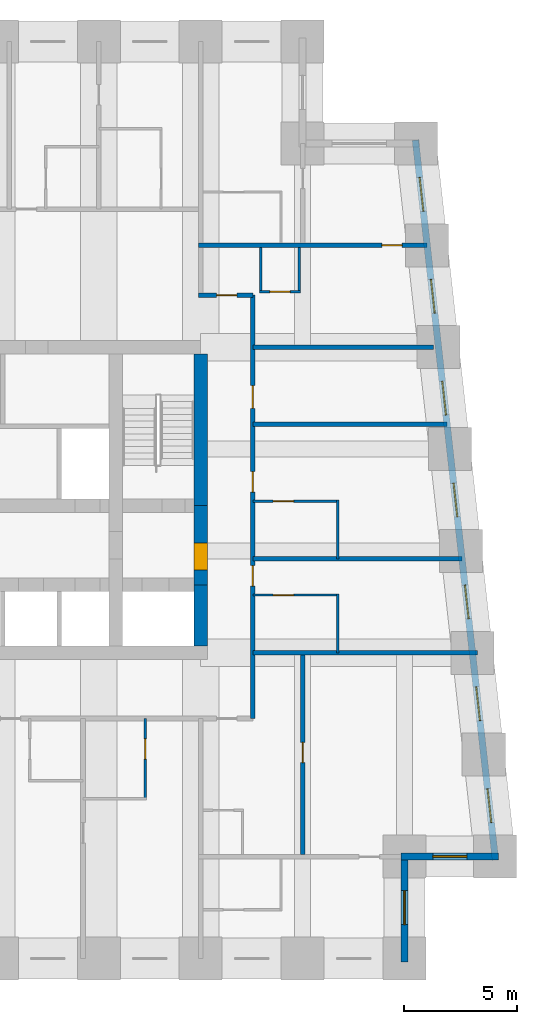
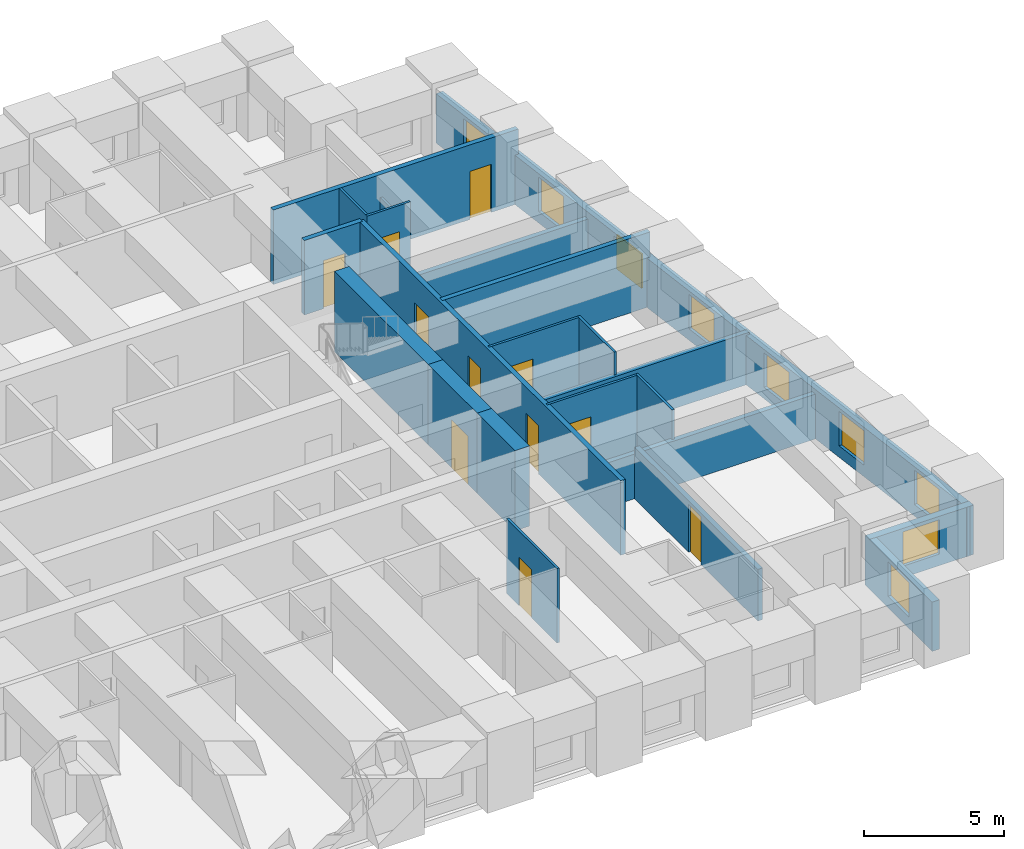
# One storey, part 5 of 8: 22 walls, 11 doors, 9 windows, 20 openings.
"""IFC4 building model written with IfcOpenShell, lengths in metres."""

import ifcopenshell
import ifcopenshell.guid

model = None  # the IFC model being written
_history = None  # IfcOwnerHistory: only IFC2X3 demands one
_inside = {}  # id of a spatial element -> (the spatial element, [elements in it])
_under = {}  # id of a project, library or spatial element -> (it, [spatial elements below it])
_declared = {}  # id of a project -> (the project, [libraries it declares])
_typed = {}  # id of a type object -> (the type object, [elements of that type])
_made_of = {}  # id of a material, layer set ... -> (it, [elements and type objects made of it])


def new_model(schema):
    """Start an empty IFC model of exactly this schema.

    Asked for "IFC4X3", IfcOpenShell would pick the latest addendum, in which some entities
    have other attributes; the version numbers below select the first issue.
    IFC2X3 requires an IfcOwnerHistory on every rooted entity: one is made here for all.
    """
    global model, _history
    if schema == "IFC4X3":
        model = ifcopenshell.file(schema_version=(4, 3, 0, 0))
    else:
        model = ifcopenshell.file(schema=schema)
    _inside.clear()
    _under.clear()
    _declared.clear()
    _typed.clear()
    _made_of.clear()
    _history = None
    if model.schema == "IFC2X3":
        org = make("IfcOrganization", Name="unknown")
        user = make(
            "IfcPersonAndOrganization",
            ThePerson=make("IfcPerson", FamilyName="unknown"),
            TheOrganization=org,
        )
        app = make(
            "IfcApplication",
            ApplicationDeveloper=org,
            Version="unknown",
            ApplicationFullName="unknown",
            ApplicationIdentifier="unknown",
        )
        _history = make(
            "IfcOwnerHistory",
            OwningUser=user,
            OwningApplication=app,
            ChangeAction="ADDED",
            CreationDate=0,
        )
    return model


def make(cls, **values):
    """One entity of the class cls with the attributes given. An attribute that is None is left unset."""
    return model.create_entity(
        cls, **{name: value for name, value in values.items() if value is not None}
    )


def rooted(cls, **values):
    """An entity with a GlobalId (a new one), such as an element, a storey or a relation."""
    return make(cls, GlobalId=ifcopenshell.guid.new(), OwnerHistory=_history, **values)


def si_unit(unit_type, name, prefix=None):
    """IfcSIUnit, for example si_unit("LENGTHUNIT", "METRE", prefix="MILLI")."""
    return make("IfcSIUnit", UnitType=unit_type, Prefix=prefix, Name=name)


def assignment(units):
    """IfcUnitAssignment: the units of a project."""
    return None if units is None else make("IfcUnitAssignment", Units=units)


def point(xyz):
    """IfcCartesianPoint."""
    return None if xyz is None else make("IfcCartesianPoint", Coordinates=xyz)


def direction(xyz):
    """IfcDirection."""
    return None if xyz is None else make("IfcDirection", DirectionRatios=xyz)


def frame(location, z_axis=None, x_axis=None):
    """IfcAxis2Placement3D, a coordinate frame: its origin and axes. An axis left out is left unset."""
    return make(
        "IfcAxis2Placement3D",
        Location=point(location),
        Axis=direction(z_axis),
        RefDirection=direction(x_axis),
    )


def frame_2d(location, x_axis=None):
    """IfcAxis2Placement2D, a coordinate frame in the plane: its origin and x axis."""
    return make(
        "IfcAxis2Placement2D", Location=point(location), RefDirection=direction(x_axis)
    )


def origin():
    """The frame at (0, 0, 0) with its axes left unset."""
    return frame((0.0, 0.0, 0.0))


def place(relative_to, where):
    """IfcLocalPlacement: puts the frame where relative to a parent placement (None: the world)."""
    return make(
        "IfcLocalPlacement", PlacementRelTo=relative_to, RelativePlacement=where
    )


def context(
    kind, dimensions, precision=None, world=None, true_north=None, identifier=None
):
    """IfcGeometricRepresentationContext, for example the 3D "Model" context."""
    return make(
        "IfcGeometricRepresentationContext",
        ContextIdentifier=identifier,
        ContextType=kind,
        CoordinateSpaceDimension=dimensions,
        Precision=precision,
        WorldCoordinateSystem=world,
        TrueNorth=true_north,
    )


def subcontext(parent, identifier, kind, view, scale=None):
    """IfcGeometricRepresentationSubContext, for example "Body" below "Model"."""
    return make(
        "IfcGeometricRepresentationSubContext",
        ContextIdentifier=identifier,
        ContextType=kind,
        ParentContext=parent,
        TargetScale=scale,
        TargetView=view,
    )


def project(units=None, contexts=None):
    """IfcProject with its units and contexts."""
    return rooted(
        "IfcProject",
        Name="project",
        RepresentationContexts=contexts,
        UnitsInContext=assignment(units),
    )


def spatial(cls, under=None, at=None, **own):
    """A site, building, storey or space (cls), placed at a placement, below another one or the project."""
    s = rooted(cls, ObjectPlacement=at, **own)
    if under is not None:
        _under.setdefault(under.id(), (under, []))[1].append(s)
    return s


def profile(cls, at=None, kind="AREA", **sizes):
    """A parametric profile (cls). Its sizes go by their IFC names, for example OverallWidth=200.0."""
    return make(cls, ProfileType=kind, Position=at, **sizes)


def rectangle(**sizes):
    """IfcRectangleProfileDef."""
    return profile("IfcRectangleProfileDef", **sizes)


def extrude(swept, where, along, depth):
    """IfcExtrudedAreaSolid: the profile swept, set in the frame where, extruded along a direction by depth."""
    return make(
        "IfcExtrudedAreaSolid",
        SweptArea=swept,
        Position=where,
        ExtrudedDirection=direction(along),
        Depth=depth,
    )


def shape(context_of_items, identifier, shape_type, items):
    """IfcShapeRepresentation: the items that make up one representation, for example the "Body"."""
    return make(
        "IfcShapeRepresentation",
        ContextOfItems=context_of_items,
        RepresentationIdentifier=identifier,
        RepresentationType=shape_type,
        Items=items,
    )


def material(Name=None, Category=None):
    """IfcMaterial."""
    return make("IfcMaterial", Name=Name, Category=Category)


def layer(
    of_material, thickness, ventilated=None, Name=None, Category=None, Priority=None
):
    """IfcMaterialLayer: one layer of a wall or slab, of a material (None: an air gap)."""
    return make(
        "IfcMaterialLayer",
        Material=of_material,
        LayerThickness=thickness,
        IsVentilated=ventilated,
        Name=Name,
        Category=Category,
        Priority=Priority,
    )


def layer_set(layers, Name=None):
    """IfcMaterialLayerSet."""
    return make("IfcMaterialLayerSet", MaterialLayers=layers, LayerSetName=Name)


def made_of(thing, what):
    """Note that an element or type object is made of a material, layer set ...; save() writes the relation."""
    if what is not None:
        _made_of.setdefault(what.id(), (what, []))[1].append(thing)
    return thing


def type_object(cls, material=None, **own):
    """A type object (cls), such as IfcWallType, which elements share."""
    return made_of(rooted(cls, **own), material)


def element(
    cls,
    number,
    at=None,
    inside=None,
    cuts=None,
    type_object=None,
    material=None,
    context=None,
    identifier="Body",
    shape_type=None,
    held_by="IfcProductDefinitionShape",
    body=None,
    shapes=None,
    **own,
):
    """One element of the class cls, such as IfcWall. Its Tag is "e" and its number.

    at: its placement. inside: the storey or other place that contains it. cuts: it is an
    opening in that element (IfcRelVoidsElement). A single representation is given by context,
    identifier, shape_type and body (its items); several are given by shapes. held_by: the class
    of the entity that holds the representations. save() writes the other relations.
    """
    e = rooted(cls, Tag="e%d" % number, ObjectPlacement=at, **own)
    if body is not None:
        shapes = [shape(context, identifier, shape_type, body)]
    if shapes is not None:
        e.Representation = make(held_by, Representations=shapes)
    if inside is not None:
        _inside.setdefault(inside.id(), (inside, []))[1].append(e)
    if cuts is not None:
        rooted(
            "IfcRelVoidsElement", RelatingBuildingElement=cuts, RelatedOpeningElement=e
        )
    if type_object is not None:
        _typed.setdefault(type_object.id(), (type_object, []))[1].append(e)
    return made_of(e, material)


def fill(opening, filler):
    """IfcRelFillsElement: the door or window that sits in an opening."""
    return rooted(
        "IfcRelFillsElement",
        RelatingOpeningElement=opening,
        RelatedBuildingElement=filler,
    )


def aggregate(whole, parts):
    """IfcRelAggregates: a whole, such as a stair, and the parts it consists of."""
    return rooted("IfcRelAggregates", RelatingObject=whole, RelatedObjects=parts)


def save(model, path):
    """Write the relations noted so far, then the file.

    IfcRelAggregates (storeys below a building ...), IfcRelContainedInSpatialStructure (elements
    in a storey), IfcRelDefinesByType, IfcRelAssociatesMaterial and IfcRelDeclares: one each for
    every whole, place, type object, material and project.
    """
    for whole, parts in _under.values():
        aggregate(whole, parts)
    for where, things in _inside.values():
        rooted(
            "IfcRelContainedInSpatialStructure",
            RelatedElements=things,
            RelatingStructure=where,
        )
    for kind, things in _typed.values():
        rooted("IfcRelDefinesByType", RelatedObjects=things, RelatingType=kind)
    for what, things in _made_of.values():
        rooted("IfcRelAssociatesMaterial", RelatedObjects=things, RelatingMaterial=what)
    for by, libraries in _declared.values():
        rooted("IfcRelDeclares", RelatingContext=by, RelatedDefinitions=libraries)
    model.write(path)


model = new_model("IFC4")

# Units and contexts
model_context = context("Model", 3, precision=1e-05, world=origin(), true_north=direction((0.0, 1.0)))
body_context = subcontext(model_context, "Body", "Model", "MODEL_VIEW")
ifc_project = project(units=[si_unit("LENGTHUNIT", "METRE"), si_unit("AREAUNIT", "SQUARE_METRE"), si_unit("VOLUMEUNIT", "CUBIC_METRE"), si_unit("PLANEANGLEUNIT", "RADIAN"), si_unit("MASSUNIT", "GRAM", prefix="KILO")], contexts=[model_context])

# Site, building, storey
site_placement = place(None, origin())
site = spatial("IfcSite", under=ifc_project, at=site_placement, CompositionType="ELEMENT")
building_placement = place(site_placement, origin())
building = spatial("IfcBuilding", under=site, at=building_placement, Name="Kilele Tower Hotel", CompositionType="ELEMENT")
storey_placement = place(building_placement, frame((0.0, 0.0, 117.89990234375)))
storey = spatial("IfcBuildingStorey", under=building, at=storey_placement, Name="L30", CompositionType="ELEMENT", Elevation=117.89990234375)

# Wall, opening, door
ifc_material_1 = material(Name="Moisture-resistant board")
ifc_layer_1 = layer(ifc_material_1, 0.10009765625)
ifc_layer_set_1 = layer_set([ifc_layer_1], Name="Moisture-resistant board")
wall_type_1 = type_object("IfcWallType", Name="Bathroom partition 100", PredefinedType="PLUMBINGWALL", material=ifc_layer_set_1)
wall_1_placement = place(storey_placement, frame((33.550048828125, 10.60009765625, 0.0), z_axis=(0.0, 0.0, 1.0), x_axis=(0.0, -1.0, 0.0)))
wall_1 = element("IfcWall", 1, at=wall_1_placement, inside=storey, type_object=wall_type_1, Name="Bathroom partition 100 L30", PredefinedType="PLUMBINGWALL", context=body_context, shape_type="SweptSolid", body=[
    extrude(rectangle(XDim=3.60009765625, YDim=0.10009765625, at=frame_2d((1.800048828125, 0.0))), origin(), (0.0, 0.0, 1.0), 3.25),
])
opening_1_placement = place(wall_1_placement, frame((0.89990234375, 0.0, 0.0)))
opening_1 = element("IfcOpeningElement", 2, at=opening_1_placement, cuts=wall_1, Name="Opening D2A", PredefinedType="OPENING", context=body_context, shape_type="SweptSolid", body=[
    extrude(rectangle(XDim=0.89990234375, YDim=2.10009765625, at=frame_2d((0.449951171875, 1.050048828125))), frame((0.0, 0.06005859375, 0.0), z_axis=(0.0, -1.0, 0.0), x_axis=(1.0, 0.0, 0.0)), (0.0, 0.0, 1.0), 0.1201171875),
])
ifc_material_2 = material(Name="Timber door leaf in hardwood frame", Category="wood")
door_type_1 = type_object("IfcDoorType", Name="Bathroom door 900", OperationType="SINGLE_SWING_LEFT", PredefinedType="DOOR", material=ifc_material_2)
door_1_placement = place(opening_1_placement, origin())
door_1 = element("IfcDoor", 3, at=door_1_placement, inside=storey, type_object=door_type_1, Name="Bathroom door 3005B", OperationType="SINGLE_SWING_LEFT", OverallHeight=2.10009765625, OverallWidth=0.89990234375, PredefinedType="DOOR", context=body_context, shape_type="SweptSolid", body=[
    extrude(rectangle(XDim=0.89990234375, YDim=2.10009765625, at=frame_2d((0.449951171875, 1.050048828125))), frame((0.0, 0.02490234375, 0.0), z_axis=(0.0, -1.0, 0.0), x_axis=(1.0, 0.0, 0.0)), (0.0, 0.0, 1.0), 0.050048828125),
])
fill(opening_1, door_1)

# Wall
wall_2_placement = place(storey_placement, frame((42.050048828125, 13.5, 0.0), z_axis=(0.0, 0.0, 1.0), x_axis=(0.0, 1.0, 0.0)))
element("IfcWall", 4, at=wall_2_placement, inside=storey, type_object=wall_type_1, Name="Bathroom partition 100 L30", PredefinedType="PLUMBINGWALL", context=body_context, shape_type="SweptSolid", body=[
    extrude(rectangle(XDim=2.60009765625, YDim=0.10009765625, at=frame_2d((1.300048828125, 0.0))), origin(), (0.0, 0.0, 1.0), 3.25),
])

# Wall, opening, door
wall_3_placement = place(storey_placement, frame((38.300048828125, 16.050048828125, 0.0), z_axis=(0.0, 0.0, 1.0), x_axis=(1.0, 0.0, 0.0)))
wall_3 = element("IfcWall", 5, at=wall_3_placement, inside=storey, type_object=wall_type_1, Name="Bathroom partition 100 L30", PredefinedType="PLUMBINGWALL", context=body_context, shape_type="SweptSolid", body=[
    extrude(rectangle(XDim=3.800048828125, YDim=0.10009765625, at=frame_2d((1.89990234375, 0.0))), origin(), (0.0, 0.0, 1.0), 3.25),
])
opening_2_placement = place(wall_3_placement, frame((0.89990234375, 0.0, 0.0)))
opening_2 = element("IfcOpeningElement", 6, at=opening_2_placement, cuts=wall_3, Name="Opening D2A", PredefinedType="OPENING", context=body_context, shape_type="SweptSolid", body=[
    extrude(rectangle(XDim=0.89990234375, YDim=2.10009765625, at=frame_2d((0.449951171875, 1.050048828125))), frame((0.0, 0.06005859375, 0.0), z_axis=(0.0, -1.0, 0.0), x_axis=(1.0, 0.0, 0.0)), (0.0, 0.0, 1.0), 0.1201171875),
])
door_2_placement = place(opening_2_placement, origin())
door_2 = element("IfcDoor", 7, at=door_2_placement, inside=storey, type_object=door_type_1, Name="Bathroom door 3006B", OperationType="SINGLE_SWING_LEFT", OverallHeight=2.10009765625, OverallWidth=0.89990234375, PredefinedType="DOOR", context=body_context, shape_type="SweptSolid", body=[
    extrude(rectangle(XDim=0.89990234375, YDim=2.10009765625, at=frame_2d((0.449951171875, 1.050048828125))), frame((0.0, 0.02490234375, 0.0), z_axis=(0.0, -1.0, 0.0), x_axis=(1.0, 0.0, 0.0)), (0.0, 0.0, 1.0), 0.050048828125),
])
fill(opening_2, door_2)

# Wall
wall_4_placement = place(storey_placement, frame((42.050048828125, 17.64990234375, 0.0), z_axis=(0.0, 0.0, 1.0), x_axis=(0.0, 1.0, 0.0)))
element("IfcWall", 8, at=wall_4_placement, inside=storey, type_object=wall_type_1, Name="Bathroom partition 100 L30", PredefinedType="PLUMBINGWALL", context=body_context, shape_type="SweptSolid", body=[
    extrude(rectangle(XDim=2.60009765625, YDim=0.10009765625, at=frame_2d((1.300048828125, 0.0))), origin(), (0.0, 0.0, 1.0), 3.25),
])

# Wall, opening, door
wall_5_placement = place(storey_placement, frame((38.300048828125, 20.199951171875, 0.0), z_axis=(0.0, 0.0, 1.0), x_axis=(1.0, 0.0, 0.0)))
wall_5 = element("IfcWall", 9, at=wall_5_placement, inside=storey, type_object=wall_type_1, Name="Bathroom partition 100 L30", PredefinedType="PLUMBINGWALL", context=body_context, shape_type="SweptSolid", body=[
    extrude(rectangle(XDim=3.800048828125, YDim=0.10009765625, at=frame_2d((1.89990234375, 0.0))), origin(), (0.0, 0.0, 1.0), 3.25),
])
opening_3_placement = place(wall_5_placement, frame((0.89990234375, 0.0, 0.0)))
opening_3 = element("IfcOpeningElement", 10, at=opening_3_placement, cuts=wall_5, Name="Opening D2A", PredefinedType="OPENING", context=body_context, shape_type="SweptSolid", body=[
    extrude(rectangle(XDim=0.89990234375, YDim=2.10009765625, at=frame_2d((0.449951171875, 1.050048828125))), frame((0.0, 0.06005859375, 0.0), z_axis=(0.0, -1.0, 0.0), x_axis=(1.0, 0.0, 0.0)), (0.0, 0.0, 1.0), 0.1201171875),
])
door_3_placement = place(opening_3_placement, origin())
door_3 = element("IfcDoor", 11, at=door_3_placement, inside=storey, type_object=door_type_1, Name="Bathroom door 3007B", OperationType="SINGLE_SWING_LEFT", OverallHeight=2.10009765625, OverallWidth=0.89990234375, PredefinedType="DOOR", context=body_context, shape_type="SweptSolid", body=[
    extrude(rectangle(XDim=0.89990234375, YDim=2.10009765625, at=frame_2d((0.449951171875, 1.050048828125))), frame((0.0, 0.02490234375, 0.0), z_axis=(0.0, -1.0, 0.0), x_axis=(1.0, 0.0, 0.0)), (0.0, 0.0, 1.0), 0.050048828125),
])
fill(opening_3, door_3)

# Walls
wall_6_placement = place(storey_placement, frame((40.35009765625, 31.39990234375, 0.0), z_axis=(0.0, 0.0, 1.0), x_axis=(0.0, -1.0, 0.0)))
element("IfcWall", 12, at=wall_6_placement, inside=storey, type_object=wall_type_1, Name="Bathroom partition 100 L30", PredefinedType="PLUMBINGWALL", context=body_context, shape_type="SweptSolid", body=[
    extrude(rectangle(XDim=2.0, YDim=0.10009765625, at=frame_2d((1.0, 0.0))), origin(), (0.0, 0.0, 1.0), 2.25),
])
wall_7_placement = place(storey_placement, frame((38.64990234375, 31.39990234375, 0.0), z_axis=(0.0, 0.0, 1.0), x_axis=(0.0, -1.0, 0.0)))
element("IfcWall", 13, at=wall_7_placement, inside=storey, type_object=wall_type_1, Name="Bathroom partition 100 L30", PredefinedType="PLUMBINGWALL", context=body_context, shape_type="SweptSolid", body=[
    extrude(rectangle(XDim=2.0, YDim=0.10009765625, at=frame_2d((1.0, 0.0))), origin(), (0.0, 0.0, 1.0), 3.25),
])

# Wall, opening, door
wall_8_placement = place(storey_placement, frame((38.60009765625, 29.449951171875, 0.0), z_axis=(0.0, 0.0, 1.0), x_axis=(1.0, 0.0, 0.0)))
wall_8 = element("IfcWall", 14, at=wall_8_placement, inside=storey, type_object=wall_type_1, Name="Bathroom partition 100 L30", PredefinedType="PLUMBINGWALL", context=body_context, shape_type="SweptSolid", body=[
    extrude(rectangle(XDim=1.7998046875, YDim=0.10009765625, at=frame_2d((0.89990234375, 0.0))), origin(), (0.0, 0.0, 1.0), 3.25),
])
opening_4_placement = place(wall_8_placement, frame((1.349853515625, 0.0, 0.0), z_axis=(0.0, 0.0, 1.0), x_axis=(-1.0, 0.0, 0.0)))
opening_4 = element("IfcOpeningElement", 15, at=opening_4_placement, cuts=wall_8, Name="Opening D2A", PredefinedType="OPENING", context=body_context, shape_type="SweptSolid", body=[
    extrude(rectangle(XDim=0.89990234375, YDim=2.10009765625, at=frame_2d((0.449951171875, 1.050048828125))), frame((0.0, 0.06005859375, 0.0), z_axis=(0.0, -1.0, 0.0), x_axis=(1.0, 0.0, 0.0)), (0.0, 0.0, 1.0), 0.1201171875),
])
door_4_placement = place(opening_4_placement, origin())
door_4 = element("IfcDoor", 16, at=door_4_placement, inside=storey, type_object=door_type_1, Name="Bathroom door 3023P", OperationType="SINGLE_SWING_RIGHT", OverallHeight=2.10009765625, OverallWidth=0.89990234375, PredefinedType="DOOR", context=body_context, shape_type="SweptSolid", body=[
    extrude(rectangle(XDim=0.89990234375, YDim=2.10009765625, at=frame_2d((0.449951171875, 1.050048828125))), frame((0.0, 0.02490234375, 0.0), z_axis=(0.0, -1.0, 0.0), x_axis=(1.0, 0.0, 0.0)), (0.0, 0.0, 1.0), 0.050048828125),
])
fill(opening_4, door_4)

# Wall
ifc_material_3 = material(Name="Concrete C60/75", Category="concrete")
ifc_layer_2 = layer(ifc_material_3, 0.60009765625)
ifc_layer_set_2 = layer_set([ifc_layer_2], Name="Concrete C60/75")
wall_type_2 = type_object("IfcWallType", Name="Core wall 600 C60/75", PredefinedType="SHEAR", material=ifc_layer_set_2)
wall_9_placement = place(storey_placement, frame((36.0, 13.800048828125, 0.0), z_axis=(0.0, 0.0, 1.0), x_axis=(0.0, 1.0, 0.0)))
element("IfcWall", 17, at=wall_9_placement, inside=storey, type_object=wall_type_2, Name="Core wall E1 L30", PredefinedType="SHEAR", context=body_context, shape_type="SweptSolid", body=[
    extrude(rectangle(XDim=2.699951171875, YDim=0.60009765625, at=frame_2d((1.35009765625, 0.0))), origin(), (0.0, 0.0, 1.0), 3.5),
])

# Wall, opening, door
wall_10_placement = place(storey_placement, frame((36.0, 16.5, 0.0), z_axis=(0.0, 0.0, 1.0), x_axis=(0.0, 1.0, 0.0)))
wall_10 = element("IfcWall", 18, at=wall_10_placement, inside=storey, type_object=wall_type_2, Name="Core wall E2 L30", PredefinedType="SHEAR", context=body_context, shape_type="SweptSolid", body=[
    extrude(rectangle(XDim=3.5, YDim=0.60009765625, at=frame_2d((1.75, 0.0))), origin(), (0.0, 0.0, 1.0), 3.5),
])
opening_5_placement = place(wall_10_placement, frame((0.64990234375, 0.0, 0.0)))
opening_5 = element("IfcOpeningElement", 19, at=opening_5_placement, cuts=wall_10, Name="Opening D4", PredefinedType="OPENING", context=body_context, shape_type="SweptSolid", body=[
    extrude(rectangle(XDim=1.199951171875, YDim=2.10009765625, at=frame_2d((0.60009765625, 1.050048828125))), frame((0.0, 0.31005859375, 0.0), z_axis=(0.0, -1.0, 0.0), x_axis=(1.0, 0.0, 0.0)), (0.0, 0.0, 1.0), 0.6201171875),
])
ifc_material_4 = material(Name="Timber door leaf in hardwood frame", Category="wood")
door_type_2 = type_object("IfcDoorType", Name="Firefighting lobby door 1200", OperationType="SINGLE_SWING_LEFT", PredefinedType="DOOR", material=ifc_material_4)
door_5_placement = place(opening_5_placement, origin())
door_5 = element("IfcDoor", 20, at=door_5_placement, inside=storey, type_object=door_type_2, Name="Lobby door L30", OperationType="SINGLE_SWING_LEFT", OverallHeight=2.10009765625, OverallWidth=1.199951171875, PredefinedType="DOOR", context=body_context, shape_type="SweptSolid", body=[
    extrude(rectangle(XDim=1.199951171875, YDim=2.10009765625, at=frame_2d((0.60009765625, 1.050048828125))), frame((0.0, 0.2998046875, 0.0), z_axis=(0.0, -1.0, 0.0), x_axis=(1.0, 0.0, 0.0)), (0.0, 0.0, 1.0), 0.599609375),
])
fill(opening_5, door_5)

# Wall
wall_11_placement = place(storey_placement, frame((36.0, 20.0, 0.0), z_axis=(0.0, 0.0, 1.0), x_axis=(0.0, 1.0, 0.0)))
element("IfcWall", 21, at=wall_11_placement, inside=storey, type_object=wall_type_2, Name="Core wall E3 L30", PredefinedType="SHEAR", context=body_context, shape_type="SweptSolid", body=[
    extrude(rectangle(XDim=6.699951171875, YDim=0.60009765625, at=frame_2d((3.35009765625, 0.0))), origin(), (0.0, 0.0, 1.0), 3.5),
])

# Wall, opening, door
ifc_material_5 = material(Name="Blockwork, plastered both sides", Category="masonry")
ifc_layer_3 = layer(ifc_material_5, 0.199951171875)
ifc_layer_set_3 = layer_set([ifc_layer_3], Name="Blockwork, plastered both sides")
wall_type_3 = type_object("IfcWallType", Name="Corridor wall 200", PredefinedType="PARTITIONING", material=ifc_layer_set_3)
wall_12_placement = place(storey_placement, frame((35.89990234375, 29.300048828125, 0.0), z_axis=(0.0, 0.0, 1.0), x_axis=(1.0, 0.0, 0.0)))
wall_12 = element("IfcWall", 22, at=wall_12_placement, inside=storey, type_object=wall_type_3, Name="Corridor wall 200 L30", PredefinedType="PARTITIONING", context=body_context, shape_type="SweptSolid", body=[
    extrude(rectangle(XDim=2.400146484375, YDim=0.199951171875, at=frame_2d((1.2001953125, 0.0))), origin(), (0.0, 0.0, 1.0), 3.25),
])
opening_6_placement = place(wall_12_placement, frame((0.800048828125, 0.0, 0.0)))
opening_6 = element("IfcOpeningElement", 23, at=opening_6_placement, cuts=wall_12, Name="Opening D1", PredefinedType="OPENING", context=body_context, shape_type="SweptSolid", body=[
    extrude(rectangle(XDim=0.89990234375, YDim=2.10009765625, at=frame_2d((0.449951171875, 1.050048828125))), frame((0.0, 0.10986328125, 0.0), z_axis=(0.0, -1.0, 0.0), x_axis=(1.0, 0.0, 0.0)), (0.0, 0.0, 1.0), 0.219970703125),
])
ifc_material_6 = material(Name="Timber door leaf in hardwood frame", Category="wood")
door_type_3 = type_object("IfcDoorType", Name="Guest room entrance door 900", OperationType="SINGLE_SWING_LEFT", PredefinedType="DOOR", material=ifc_material_6)
door_6_placement = place(opening_6_placement, origin())
door_6 = element("IfcDoor", 24, at=door_6_placement, inside=storey, type_object=door_type_3, Name="Room entrance 3023", OperationType="SINGLE_SWING_LEFT", OverallHeight=2.10009765625, OverallWidth=0.89990234375, PredefinedType="DOOR", context=body_context, shape_type="SweptSolid", body=[
    extrude(rectangle(XDim=0.89990234375, YDim=2.10009765625, at=frame_2d((0.449951171875, 1.050048828125))), frame((0.0, 0.02490234375, 0.0), z_axis=(0.0, -1.0, 0.0), x_axis=(1.0, 0.0, 0.0)), (0.0, 0.0, 1.0), 0.050048828125),
])
fill(opening_6, door_6)

# Wall, openings, doors
wall_13_placement = place(storey_placement, frame((38.300048828125, 10.60009765625, 0.0), z_axis=(0.0, 0.0, 1.0), x_axis=(0.0, 1.0, 0.0)))
wall_13 = element("IfcWall", 25, at=wall_13_placement, inside=storey, type_object=wall_type_3, Name="Corridor wall 200 L30", PredefinedType="PARTITIONING", context=body_context, shape_type="SweptSolid", body=[
    extrude(rectangle(XDim=18.699951171875, YDim=0.199951171875, at=frame_2d((9.35009765625, 0.0))), origin(), (0.0, 0.0, 1.0), 3.25),
])
opening_7_placement = place(wall_13_placement, frame((6.75, 0.0, 0.0), z_axis=(0.0, 0.0, 1.0), x_axis=(-1.0, 0.0, 0.0)))
opening_7 = element("IfcOpeningElement", 26, at=opening_7_placement, cuts=wall_13, Name="Opening D1", PredefinedType="OPENING", context=body_context, shape_type="SweptSolid", body=[
    extrude(rectangle(XDim=0.89990234375, YDim=2.10009765625, at=frame_2d((0.449951171875, 1.050048828125))), frame((0.0, 0.10986328125, 0.0), z_axis=(0.0, -1.0, 0.0), x_axis=(1.0, 0.0, 0.0)), (0.0, 0.0, 1.0), 0.219970703125),
])
opening_8_placement = place(wall_13_placement, frame((10.89990234375, 0.0, 0.0), z_axis=(0.0, 0.0, 1.0), x_axis=(-1.0, 0.0, 0.0)))
opening_8 = element("IfcOpeningElement", 27, at=opening_8_placement, cuts=wall_13, Name="Opening D1", PredefinedType="OPENING", context=body_context, shape_type="SweptSolid", body=[
    extrude(rectangle(XDim=0.89990234375, YDim=2.10009765625, at=frame_2d((0.449951171875, 1.050048828125))), frame((0.0, 0.10986328125, 0.0), z_axis=(0.0, -1.0, 0.0), x_axis=(1.0, 0.0, 0.0)), (0.0, 0.0, 1.0), 0.219970703125),
])
opening_9_placement = place(wall_13_placement, frame((14.699951171875, 0.0, 0.0), z_axis=(0.0, 0.0, 1.0), x_axis=(-1.0, 0.0, 0.0)))
opening_9 = element("IfcOpeningElement", 28, at=opening_9_placement, cuts=wall_13, Name="Opening D8", PredefinedType="OPENING", context=body_context, shape_type="SweptSolid", body=[
    extrude(rectangle(XDim=1.0, YDim=2.10009765625, at=frame_2d((0.5, 1.050048828125))), frame((0.0, 0.10986328125, 0.0), z_axis=(0.0, -1.0, 0.0), x_axis=(1.0, 0.0, 0.0)), (0.0, 0.0, 1.0), 0.219970703125),
])
ifc_material_7 = material(Name="Timber door leaf in hardwood frame", Category="wood")
door_type_4 = type_object("IfcDoorType", Name="Door 1000", OperationType="SINGLE_SWING_LEFT", PredefinedType="DOOR", material=ifc_material_7)
door_7_placement = place(opening_9_placement, origin())
door_7 = element("IfcDoor", 29, at=door_7_placement, inside=storey, type_object=door_type_4, Name="Room entrance 3008", OperationType="SINGLE_SWING_RIGHT", OverallHeight=2.10009765625, OverallWidth=1.0, PredefinedType="DOOR", context=body_context, shape_type="SweptSolid", body=[
    extrude(rectangle(XDim=1.0, YDim=2.10009765625, at=frame_2d((0.5, 1.050048828125))), frame((0.0, 0.02490234375, 0.0), z_axis=(0.0, -1.0, 0.0), x_axis=(1.0, 0.0, 0.0)), (0.0, 0.0, 1.0), 0.050048828125),
])
fill(opening_9, door_7)
door_8_placement = place(opening_7_placement, origin())
door_8 = element("IfcDoor", 30, at=door_8_placement, inside=storey, type_object=door_type_3, Name="Room entrance 3006", OperationType="SINGLE_SWING_LEFT", OverallHeight=2.10009765625, OverallWidth=0.89990234375, PredefinedType="DOOR", context=body_context, shape_type="SweptSolid", body=[
    extrude(rectangle(XDim=0.89990234375, YDim=2.10009765625, at=frame_2d((0.449951171875, 1.050048828125))), frame((0.0, 0.02490234375, 0.0), z_axis=(0.0, -1.0, 0.0), x_axis=(1.0, 0.0, 0.0)), (0.0, 0.0, 1.0), 0.050048828125),
])
fill(opening_7, door_8)
door_9_placement = place(opening_8_placement, origin())
door_9 = element("IfcDoor", 31, at=door_9_placement, inside=storey, type_object=door_type_3, Name="Room entrance 3007", OperationType="SINGLE_SWING_RIGHT", OverallHeight=2.10009765625, OverallWidth=0.89990234375, PredefinedType="DOOR", context=body_context, shape_type="SweptSolid", body=[
    extrude(rectangle(XDim=0.89990234375, YDim=2.10009765625, at=frame_2d((0.449951171875, 1.050048828125))), frame((0.0, 0.02490234375, 0.0), z_axis=(0.0, -1.0, 0.0), x_axis=(1.0, 0.0, 0.0)), (0.0, 0.0, 1.0), 0.050048828125),
])
fill(opening_8, door_9)

# Wall, opening, door
ifc_material_8 = material(Name="Blockwork, plastered both sides", Category="masonry")
ifc_layer_4 = layer(ifc_material_8, 0.199951171875)
ifc_layer_set_4 = layer_set([ifc_layer_4], Name="Blockwork, plastered both sides")
wall_type_4 = type_object("IfcWallType", Name="Partition wall 200", PredefinedType="PARTITIONING", material=ifc_layer_set_4)
wall_14_placement = place(storey_placement, frame((40.5, 4.60009765625, 0.0), z_axis=(0.0, 0.0, 1.0), x_axis=(0.0, 1.0, 0.0)))
wall_14 = element("IfcWall", 32, at=wall_14_placement, inside=storey, type_object=wall_type_4, Name="Partition wall 200 L30", PredefinedType="PARTITIONING", context=body_context, shape_type="SweptSolid", body=[
    extrude(rectangle(XDim=8.7998046875, YDim=0.199951171875, at=frame_2d((4.39990234375, 0.0))), origin(), (0.0, 0.0, 1.0), 2.25),
])
opening_10_placement = place(wall_14_placement, frame((4.050048828125, 0.0, 0.0)))
opening_10 = element("IfcOpeningElement", 33, at=opening_10_placement, cuts=wall_14, Name="Opening D3", PredefinedType="OPENING", context=body_context, shape_type="SweptSolid", body=[
    extrude(rectangle(XDim=0.89990234375, YDim=2.10009765625, at=frame_2d((0.449951171875, 1.050048828125))), frame((0.0, 0.10986328125, 0.0), z_axis=(0.0, -1.0, 0.0), x_axis=(1.0, 0.0, 0.0)), (0.0, 0.0, 1.0), 0.219970703125),
])
ifc_material_9 = material(Name="Timber door leaf in hardwood frame", Category="wood")
door_type_5 = type_object("IfcDoorType", Name="Suite internal door 900", OperationType="SINGLE_SWING_LEFT", PredefinedType="DOOR", material=ifc_material_9)
door_10_placement = place(opening_10_placement, origin())
door_10 = element("IfcDoor", 34, at=door_10_placement, inside=storey, type_object=door_type_5, Name="Suite door 3021", OperationType="SINGLE_SWING_RIGHT", OverallHeight=2.10009765625, OverallWidth=0.89990234375, PredefinedType="DOOR", context=body_context, shape_type="SweptSolid", body=[
    extrude(rectangle(XDim=0.89990234375, YDim=2.10009765625, at=frame_2d((0.449951171875, 1.050048828125))), frame((0.0, 0.02490234375, 0.0), z_axis=(0.0, -1.0, 0.0), x_axis=(1.0, 0.0, 0.0)), (0.0, 0.0, 1.0), 0.050048828125),
])
fill(opening_10, door_10)

# Walls
ifc_material_10 = material(Name="Blockwork, plastered both sides", Category="masonry")
ifc_layer_5 = layer(ifc_material_10, 0.199951171875)
ifc_layer_set_5 = layer_set([ifc_layer_5], Name="Blockwork, plastered both sides")
wall_type_5 = type_object("IfcWallType", Name="Party wall 200", PredefinedType="PARTITIONING", material=ifc_layer_set_5)
wall_15_placement = place(storey_placement, frame((38.300048828125, 17.64990234375, 0.0), z_axis=(0.0, 0.0, 1.0), x_axis=(1.0, 0.0, 0.0)))
element("IfcWall", 35, at=wall_15_placement, inside=storey, type_object=wall_type_5, Name="Party wall 200 L30", PredefinedType="PARTITIONING", context=body_context, shape_type="SweptSolid", body=[
    extrude(rectangle(XDim=9.238037109375, YDim=0.199951171875, at=frame_2d((4.619140625, 0.0))), origin(), (0.0, 0.0, 1.0), 2.25),
])
wall_16_placement = place(storey_placement, frame((38.300048828125, 23.60009765625, 0.0), z_axis=(0.0, 0.0, 1.0), x_axis=(1.0, 0.0, 0.0)))
element("IfcWall", 36, at=wall_16_placement, inside=storey, type_object=wall_type_5, Name="Party wall 200 L30", PredefinedType="PARTITIONING", context=body_context, shape_type="SweptSolid", body=[
    extrude(rectangle(XDim=8.576904296875, YDim=0.199951171875, at=frame_2d((4.28857421875, 0.0))), origin(), (0.0, 0.0, 1.0), 3.25),
])
wall_17_placement = place(storey_placement, frame((38.300048828125, 13.5, 0.0), z_axis=(0.0, 0.0, 1.0), x_axis=(1.0, 0.0, 0.0)))
element("IfcWall", 37, at=wall_17_placement, inside=storey, type_object=wall_type_5, Name="Party wall 200 L30", PredefinedType="PARTITIONING", context=body_context, shape_type="SweptSolid", body=[
    extrude(rectangle(XDim=9.921142578125, YDim=0.199951171875, at=frame_2d((4.96044921875, 0.0))), origin(), (0.0, 0.0, 1.0), 1.9501953125),
])
wall_18_placement = place(storey_placement, frame((38.300048828125, 27.0, 0.0), z_axis=(0.0, 0.0, 1.0), x_axis=(1.0, 0.0, 0.0)))
element("IfcWall", 38, at=wall_18_placement, inside=storey, type_object=wall_type_5, Name="Party wall 200 L30", PredefinedType="PARTITIONING", context=body_context, shape_type="SweptSolid", body=[
    extrude(rectangle(XDim=7.976806640625, YDim=0.199951171875, at=frame_2d((3.98828125, 0.0))), origin(), (0.0, 0.0, 1.0), 1.9501953125),
])

# Wall, opening, door
wall_19_placement = place(storey_placement, frame((35.89990234375, 31.5, 0.0), z_axis=(0.0, 0.0, 1.0), x_axis=(1.0, 0.0, 0.0)))
wall_19 = element("IfcWall", 39, at=wall_19_placement, inside=storey, type_object=wall_type_5, Name="Party wall 200 L30", PredefinedType="PARTITIONING", context=body_context, shape_type="SweptSolid", body=[
    extrude(rectangle(XDim=10.09912109375, YDim=0.199951171875, at=frame_2d((5.049560546875, 0.0))), origin(), (0.0, 0.0, 1.0), 3.25),
])
opening_11_placement = place(wall_19_placement, frame((8.09912109375, 0.0, 0.0)))
opening_11 = element("IfcOpeningElement", 40, at=opening_11_placement, cuts=wall_19, Name="Opening D3", PredefinedType="OPENING", context=body_context, shape_type="SweptSolid", body=[
    extrude(rectangle(XDim=0.89990234375, YDim=2.10009765625, at=frame_2d((0.449951171875, 1.050048828125))), frame((0.0, 0.10986328125, 0.0), z_axis=(0.0, -1.0, 0.0), x_axis=(1.0, 0.0, 0.0)), (0.0, 0.0, 1.0), 0.219970703125),
])
door_11_placement = place(opening_11_placement, origin())
door_11 = element("IfcDoor", 41, at=door_11_placement, inside=storey, type_object=door_type_5, Name="Suite door 3024", OperationType="SINGLE_SWING_RIGHT", OverallHeight=2.10009765625, OverallWidth=0.89990234375, PredefinedType="DOOR", context=body_context, shape_type="SweptSolid", body=[
    extrude(rectangle(XDim=0.89990234375, YDim=2.10009765625, at=frame_2d((0.449951171875, 1.050048828125))), frame((0.0, 0.02490234375, 0.0), z_axis=(0.0, -1.0, 0.0), x_axis=(1.0, 0.0, 0.0)), (0.0, 0.0, 1.0), 0.050048828125),
])
fill(opening_11, door_11)

# Wall, opening, window
ifc_material_11 = material(Name="Concrete C40/50 precast", Category="concrete")
ifc_layer_6 = layer(ifc_material_11, 0.260009765625, Name="Precast backing", Category="LoadBearing")
ifc_material_12 = material(Name="Reconstituted stone finish", Category="masonry")
ifc_layer_7 = layer(ifc_material_12, 0.0400390625, Name="Face mix", Category="Finish")
ifc_layer_set_6 = layer_set([ifc_layer_6, ifc_layer_7], Name="Precast concrete C40/50, reconstituted stone finish")
wall_type_6 = type_object("IfcWallType", Name="Precast stone facade wall 300", PredefinedType="STANDARD", material=ifc_layer_set_6)
wall_20_placement = place(storey_placement, frame((45.0, -0.14990234375, 0.0), z_axis=(0.0, 0.0, 1.0), x_axis=(0.0, 1.0, 0.0)))
wall_20 = element("IfcWall", 42, at=wall_20_placement, inside=storey, type_object=wall_type_6, Name="Facade wall L30 edge 4", PredefinedType="STANDARD", context=body_context, shape_type="SweptSolid", body=[
    extrude(rectangle(XDim=4.7998046875, YDim=0.300048828125, at=frame_2d((2.39990234375, 0.0))), origin(), (0.0, 0.0, 1.0), 2.150146484375),
])
opening_12_placement = place(wall_20_placement, frame((1.64990234375, 0.0, 0.5)))
opening_12 = element("IfcOpeningElement", 43, at=opening_12_placement, cuts=wall_20, Name="Opening W2", PredefinedType="OPENING", context=body_context, shape_type="SweptSolid", body=[
    extrude(rectangle(XDim=1.5, YDim=1.5, at=frame_2d((0.75, 0.75))), frame((0.0, 0.159912109375, 0.0), z_axis=(0.0, -1.0, 0.0), x_axis=(1.0, 0.0, 0.0)), (0.0, 0.0, 1.0), 0.320068359375),
])
ifc_material_13 = material(Name="Aluminium frame, clear double glazing", Category="aluminium")
window_type = type_object("IfcWindowType", Name="Window W2 1500 x 1500", PartitioningType="SINGLE_PANEL", PredefinedType="WINDOW", material=ifc_material_13)
window_1_placement = place(opening_12_placement, origin())
window_1 = element("IfcWindow", 44, at=window_1_placement, inside=storey, type_object=window_type, Name="Window L30", OverallHeight=1.5, OverallWidth=1.5, PartitioningType="SINGLE_PANEL", PredefinedType="WINDOW", context=body_context, shape_type="SweptSolid", body=[
    extrude(rectangle(XDim=1.5, YDim=1.5, at=frame_2d((0.75, 0.75))), frame((0.0, 0.030029296875, 0.0), z_axis=(0.0, -1.0, 0.0), x_axis=(1.0, 0.0, 0.0)), (0.0, 0.0, 1.0), 0.06005859375),
])
fill(opening_12, window_1)

wall_21_placement = place(storey_placement, frame((44.85009765625, 4.5, 0.0), z_axis=(0.0, 0.0, 1.0), x_axis=(1.0, 0.0, 0.0)))
wall_21 = element("IfcWall", 45, at=wall_21_placement, inside=storey, type_object=wall_type_6, Name="Facade wall L30 edge 5", PredefinedType="STANDARD", context=body_context, shape_type="SweptSolid", body=[
    extrude(rectangle(XDim=4.2998046875, YDim=0.300048828125, at=frame_2d((2.14990234375, 0.0))), origin(), (0.0, 0.0, 1.0), 2.150146484375),
])
opening_13_placement = place(wall_21_placement, frame((1.39990234375, 0.0, 0.5)))
opening_13 = element("IfcOpeningElement", 46, at=opening_13_placement, cuts=wall_21, Name="Opening W2", PredefinedType="OPENING", context=body_context, shape_type="SweptSolid", body=[
    extrude(rectangle(XDim=1.5, YDim=1.5, at=frame_2d((0.75, 0.75))), frame((0.0, 0.159912109375, 0.0), z_axis=(0.0, -1.0, 0.0), x_axis=(1.0, 0.0, 0.0)), (0.0, 0.0, 1.0), 0.320068359375),
])
window_2_placement = place(opening_13_placement, origin())
window_2 = element("IfcWindow", 47, at=window_2_placement, inside=storey, type_object=window_type, Name="Window L30", OverallHeight=1.5, OverallWidth=1.5, PartitioningType="SINGLE_PANEL", PredefinedType="WINDOW", context=body_context, shape_type="SweptSolid", body=[
    extrude(rectangle(XDim=1.5, YDim=1.5, at=frame_2d((0.75, 0.75))), frame((0.0, 0.030029296875, 0.0), z_axis=(0.0, -1.0, 0.0), x_axis=(1.0, 0.0, 0.0)), (0.0, 0.0, 1.0), 0.06005859375),
])
fill(opening_13, window_2)

# Wall, openings, windows
wall_22_placement = place(storey_placement, frame((49.0166015625, 4.350830078125, 0.0), z_axis=(0.0, 0.0, 1.0), x_axis=(-0.110433201132, 0.993883548555, 0.0)))
wall_22 = element("IfcWall", 48, at=wall_22_placement, inside=storey, type_object=wall_type_6, Name="Facade wall L30 edge 6", PredefinedType="STANDARD", context=body_context, shape_type="SweptSolid", body=[
    extrude(rectangle(XDim=31.994140625, YDim=0.300048828125, at=frame_2d((15.9970703125, 0.0))), origin(), (0.0, 0.0, 1.0), 2.150146484375),
])
opening_14_placement = place(wall_22_placement, frame((1.6640625, 0.0, 0.5)))
opening_14 = element("IfcOpeningElement", 49, at=opening_14_placement, cuts=wall_22, Name="Opening W2", PredefinedType="OPENING", context=body_context, shape_type="SweptSolid", body=[
    extrude(rectangle(XDim=1.5, YDim=1.5, at=frame_2d((0.75, 0.75))), frame((0.0, 0.159912109375, 0.0), z_axis=(0.0, -1.0, 0.0), x_axis=(1.0, 0.0, 0.0)), (0.0, 0.0, 1.0), 0.320068359375),
])
opening_15_placement = place(wall_22_placement, frame((6.19189453125, 0.0, 0.5)))
opening_15 = element("IfcOpeningElement", 50, at=opening_15_placement, cuts=wall_22, Name="Opening W2", PredefinedType="OPENING", context=body_context, shape_type="SweptSolid", body=[
    extrude(rectangle(XDim=1.5, YDim=1.5, at=frame_2d((0.75, 0.75))), frame((0.0, 0.159912109375, 0.0), z_axis=(0.0, -1.0, 0.0), x_axis=(1.0, 0.0, 0.0)), (0.0, 0.0, 1.0), 0.320068359375),
])
opening_16_placement = place(wall_22_placement, frame((10.718994140625, 0.0, 0.5)))
opening_16 = element("IfcOpeningElement", 51, at=opening_16_placement, cuts=wall_22, Name="Opening W2", PredefinedType="OPENING", context=body_context, shape_type="SweptSolid", body=[
    extrude(rectangle(XDim=1.5, YDim=1.5, at=frame_2d((0.75, 0.75))), frame((0.0, 0.159912109375, 0.0), z_axis=(0.0, -1.0, 0.0), x_axis=(1.0, 0.0, 0.0)), (0.0, 0.0, 1.0), 0.320068359375),
])
opening_17_placement = place(wall_22_placement, frame((15.2470703125, 0.0, 0.5)))
opening_17 = element("IfcOpeningElement", 52, at=opening_17_placement, cuts=wall_22, Name="Opening W2", PredefinedType="OPENING", context=body_context, shape_type="SweptSolid", body=[
    extrude(rectangle(XDim=1.5, YDim=1.5, at=frame_2d((0.75, 0.75))), frame((0.0, 0.159912109375, 0.0), z_axis=(0.0, -1.0, 0.0), x_axis=(1.0, 0.0, 0.0)), (0.0, 0.0, 1.0), 0.320068359375),
])
opening_18_placement = place(wall_22_placement, frame((19.77490234375, 0.0, 0.5)))
opening_18 = element("IfcOpeningElement", 53, at=opening_18_placement, cuts=wall_22, Name="Opening W2", PredefinedType="OPENING", context=body_context, shape_type="SweptSolid", body=[
    extrude(rectangle(XDim=1.5, YDim=1.5, at=frame_2d((0.75, 0.75))), frame((0.0, 0.159912109375, 0.0), z_axis=(0.0, -1.0, 0.0), x_axis=(1.0, 0.0, 0.0)), (0.0, 0.0, 1.0), 0.320068359375),
])
opening_19_placement = place(wall_22_placement, frame((24.302001953125, 0.0, 0.5)))
opening_19 = element("IfcOpeningElement", 54, at=opening_19_placement, cuts=wall_22, Name="Opening W2", PredefinedType="OPENING", context=body_context, shape_type="SweptSolid", body=[
    extrude(rectangle(XDim=1.5, YDim=1.5, at=frame_2d((0.75, 0.75))), frame((0.0, 0.159912109375, 0.0), z_axis=(0.0, -1.0, 0.0), x_axis=(1.0, 0.0, 0.0)), (0.0, 0.0, 1.0), 0.320068359375),
])
opening_20_placement = place(wall_22_placement, frame((28.830078125, 0.0, 0.5)))
opening_20 = element("IfcOpeningElement", 55, at=opening_20_placement, cuts=wall_22, Name="Opening W2", PredefinedType="OPENING", context=body_context, shape_type="SweptSolid", body=[
    extrude(rectangle(XDim=1.5, YDim=1.5, at=frame_2d((0.75, 0.75))), frame((0.0, 0.159912109375, 0.0), z_axis=(0.0, -1.0, 0.0), x_axis=(1.0, 0.0, 0.0)), (0.0, 0.0, 1.0), 0.320068359375),
])
window_3_placement = place(opening_14_placement, origin())
window_3 = element("IfcWindow", 56, at=window_3_placement, inside=storey, type_object=window_type, Name="Window L30", OverallHeight=1.5, OverallWidth=1.5, PartitioningType="SINGLE_PANEL", PredefinedType="WINDOW", context=body_context, shape_type="SweptSolid", body=[
    extrude(rectangle(XDim=1.5, YDim=1.5, at=frame_2d((0.75, 0.75))), frame((0.0, 0.030029296875, 0.0), z_axis=(0.0, -1.0, 0.0), x_axis=(1.0, 0.0, 0.0)), (0.0, 0.0, 1.0), 0.06005859375),
])
fill(opening_14, window_3)
window_4_placement = place(opening_15_placement, origin())
window_4 = element("IfcWindow", 57, at=window_4_placement, inside=storey, type_object=window_type, Name="Window L30", OverallHeight=1.5, OverallWidth=1.5, PartitioningType="SINGLE_PANEL", PredefinedType="WINDOW", context=body_context, shape_type="SweptSolid", body=[
    extrude(rectangle(XDim=1.5, YDim=1.5, at=frame_2d((0.75, 0.75))), frame((0.0, 0.030029296875, 0.0), z_axis=(0.0, -1.0, 0.0), x_axis=(1.0, 0.0, 0.0)), (0.0, 0.0, 1.0), 0.06005859375),
])
fill(opening_15, window_4)
window_5_placement = place(opening_16_placement, origin())
window_5 = element("IfcWindow", 58, at=window_5_placement, inside=storey, type_object=window_type, Name="Window L30", OverallHeight=1.5, OverallWidth=1.5, PartitioningType="SINGLE_PANEL", PredefinedType="WINDOW", context=body_context, shape_type="SweptSolid", body=[
    extrude(rectangle(XDim=1.5, YDim=1.5, at=frame_2d((0.75, 0.75))), frame((0.0, 0.030029296875, 0.0), z_axis=(0.0, -1.0, 0.0), x_axis=(1.0, 0.0, 0.0)), (0.0, 0.0, 1.0), 0.06005859375),
])
fill(opening_16, window_5)
window_6_placement = place(opening_17_placement, origin())
window_6 = element("IfcWindow", 59, at=window_6_placement, inside=storey, type_object=window_type, Name="Window L30", OverallHeight=1.5, OverallWidth=1.5, PartitioningType="SINGLE_PANEL", PredefinedType="WINDOW", context=body_context, shape_type="SweptSolid", body=[
    extrude(rectangle(XDim=1.5, YDim=1.5, at=frame_2d((0.75, 0.75))), frame((0.0, 0.030029296875, 0.0), z_axis=(0.0, -1.0, 0.0), x_axis=(1.0, 0.0, 0.0)), (0.0, 0.0, 1.0), 0.06005859375),
])
fill(opening_17, window_6)
window_7_placement = place(opening_18_placement, origin())
window_7 = element("IfcWindow", 60, at=window_7_placement, inside=storey, type_object=window_type, Name="Window L30", OverallHeight=1.5, OverallWidth=1.5, PartitioningType="SINGLE_PANEL", PredefinedType="WINDOW", context=body_context, shape_type="SweptSolid", body=[
    extrude(rectangle(XDim=1.5, YDim=1.5, at=frame_2d((0.75, 0.75))), frame((0.0, 0.030029296875, 0.0), z_axis=(0.0, -1.0, 0.0), x_axis=(1.0, 0.0, 0.0)), (0.0, 0.0, 1.0), 0.06005859375),
])
fill(opening_18, window_7)
window_8_placement = place(opening_19_placement, origin())
window_8 = element("IfcWindow", 61, at=window_8_placement, inside=storey, type_object=window_type, Name="Window L30", OverallHeight=1.5, OverallWidth=1.5, PartitioningType="SINGLE_PANEL", PredefinedType="WINDOW", context=body_context, shape_type="SweptSolid", body=[
    extrude(rectangle(XDim=1.5, YDim=1.5, at=frame_2d((0.75, 0.75))), frame((0.0, 0.030029296875, 0.0), z_axis=(0.0, -1.0, 0.0), x_axis=(1.0, 0.0, 0.0)), (0.0, 0.0, 1.0), 0.06005859375),
])
fill(opening_19, window_8)
window_9_placement = place(opening_20_placement, origin())
window_9 = element("IfcWindow", 62, at=window_9_placement, inside=storey, type_object=window_type, Name="Window L30", OverallHeight=1.5, OverallWidth=1.5, PartitioningType="SINGLE_PANEL", PredefinedType="WINDOW", context=body_context, shape_type="SweptSolid", body=[
    extrude(rectangle(XDim=1.5, YDim=1.5, at=frame_2d((0.75, 0.75))), frame((0.0, 0.030029296875, 0.0), z_axis=(0.0, -1.0, 0.0), x_axis=(1.0, 0.0, 0.0)), (0.0, 0.0, 1.0), 0.06005859375),
])
fill(opening_20, window_9)

save(model, "model.ifc")
